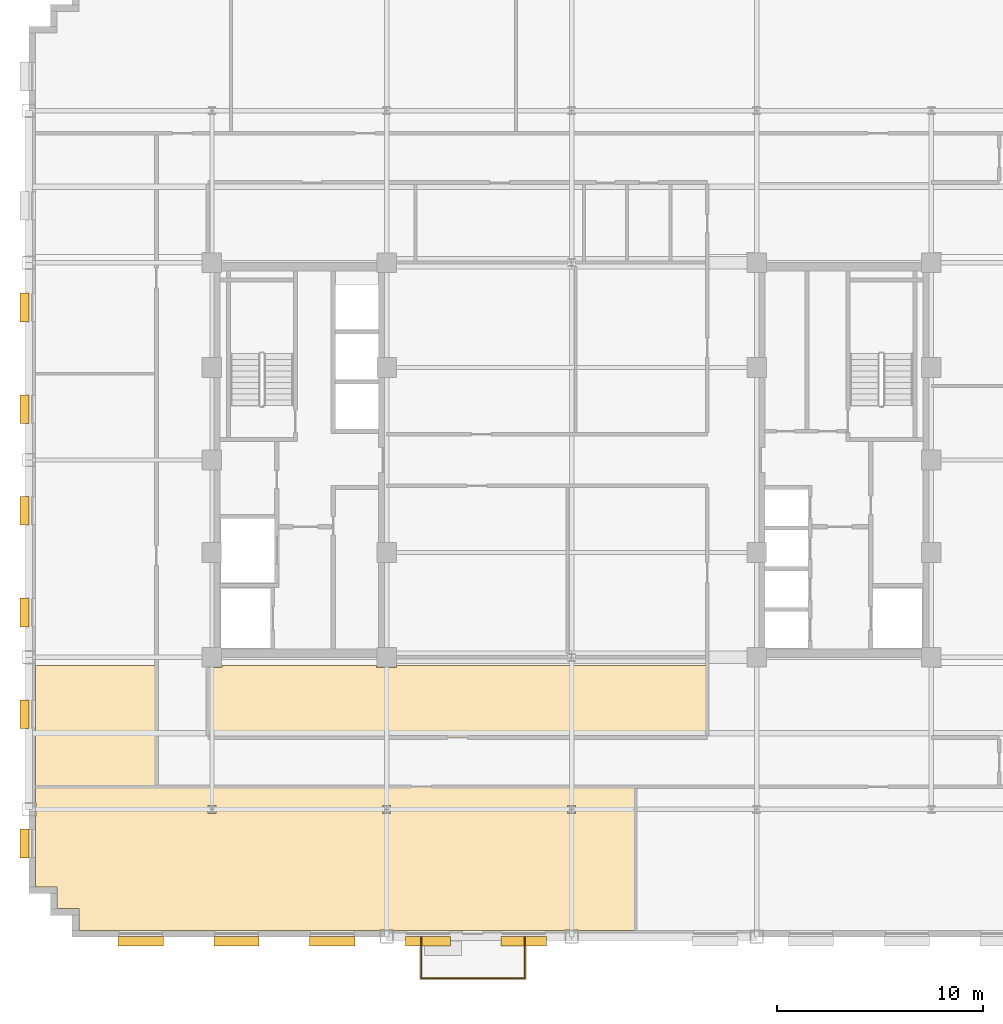
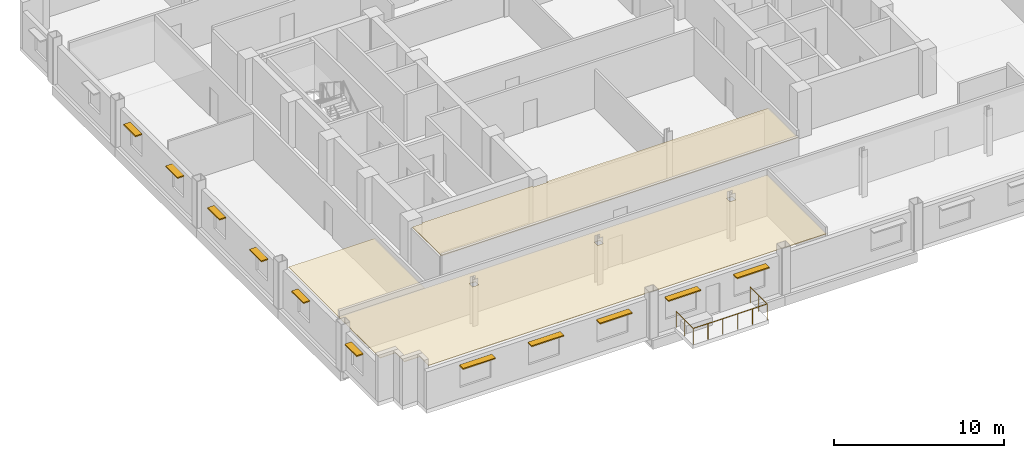
# One storey, part 11 of 14: 11 shading devices, 3 coverings, 1 railing.
"""IFC4 building model written with IfcOpenShell, lengths in metres."""

from ifc_helpers import new_model, si_unit, direction, frame, origin, origin_2d, place, context, subcontext, project, spatial, polyline, rectangle, circle, outline, extrude, source, transform, mapped, material, layer, layer_set, type_object, type_shapes, element, save


model = new_model("IFC4")

# Units and contexts
model_context = context("Model", 3, precision=1e-05, world=origin(), true_north=direction((0.0, 1.0)))
body_context = subcontext(model_context, "Body", "Model", "MODEL_VIEW")
ifc_project = project(units=[si_unit("LENGTHUNIT", "METRE"), si_unit("AREAUNIT", "SQUARE_METRE"), si_unit("VOLUMEUNIT", "CUBIC_METRE"), si_unit("PLANEANGLEUNIT", "RADIAN"), si_unit("MASSUNIT", "GRAM", prefix="KILO")], contexts=[model_context])

# Site, building, storey
site_placement = place(None, origin())
site = spatial("IfcSite", under=ifc_project, at=site_placement, CompositionType="ELEMENT")
building_placement = place(site_placement, origin())
building = spatial("IfcBuilding", under=site, at=building_placement, Name="Nuvemarco Arch Tower", CompositionType="ELEMENT")
storey_placement = place(building_placement, frame((0.0, 0.0, 138.449951171875)))
storey = spatial("IfcBuildingStorey", under=building, at=storey_placement, Name="L36", CompositionType="ELEMENT", Elevation=138.449951171875)

# Coverings
ifc_material_1 = material(Name="Mineral acoustic ceiling tile")
ifc_layer = layer(ifc_material_1, 0.0400390625, Name="COV-ACOUSTIC-CLG")
ifc_layer_set = layer_set([ifc_layer], Name="Mineral acoustic ceiling tile")
covering_type = type_object("IfcCoveringType", Name="COV-ACOUSTIC-CLG", PredefinedType="CEILING", material=ifc_layer_set)
covering_1_placement = place(storey_placement, frame((0.0, 0.0, 2.85009765625)))
element("IfcCovering", 1, at=covering_1_placement, inside=storey, type_object=covering_type, Name="L36 suspended acoustic ceiling 1", PredefinedType="CEILING", context=body_context, shape_type="SweptSolid", body=[
    extrude(outline(polyline([(-26.080078125, -20.780029296875), (-26.080078125, -17.340087890625), (-26.06005859375, -17.340087890625), (-26.06005859375, -16.659912109375), (-26.080078125, -16.659912109375), (-26.080078125, -15.89990234375), (-20.199951171875, -15.89990234375), (-17.699951171875, -15.89990234375), (3.10009765625, -15.89990234375), (3.10009765625, -22.8798828125), (0.340087890625, -22.8798828125), (0.340087890625, -22.860107421875), (-0.340087890625, -22.860107421875), (-0.340087890625, -22.8798828125), (-8.659912109375, -22.8798828125), (-8.659912109375, -22.860107421875), (-9.340087890625, -22.860107421875), (-9.340087890625, -22.8798828125), (-23.97998046875, -22.8798828125), (-23.97998046875, -21.830078125), (-25.030029296875, -21.830078125), (-25.030029296875, -20.780029296875), (-26.080078125, -20.780029296875)]), holes=[polyline([(-17.304931640625, -16.804931640625), (-17.695068359375, -16.804931640625), (-17.695068359375, -17.195068359375), (-17.304931640625, -17.195068359375), (-17.304931640625, -16.804931640625)]), polyline([(-8.804931640625, -17.195068359375), (-8.804931640625, -16.804931640625), (-9.195068359375, -16.804931640625), (-9.195068359375, -17.195068359375), (-8.804931640625, -17.195068359375)]), polyline([(0.195068359375, -17.195068359375), (0.195068359375, -16.804931640625), (-0.195068359375, -16.804931640625), (-0.195068359375, -17.195068359375), (0.195068359375, -17.195068359375)])]), origin(), (0.0, 0.0, 1.0), 0.0400390625),
])
covering_2_placement = place(storey_placement, frame((0.0, 0.0, 2.85009765625)))
element("IfcCovering", 2, at=covering_2_placement, inside=storey, type_object=covering_type, Name="L36 suspended acoustic ceiling 5", PredefinedType="CEILING", context=body_context, shape_type="SweptSolid", body=[
    extrude(outline(polyline([(-20.199951171875, -13.5), (-20.199951171875, -15.89990234375), (-26.080078125, -15.89990234375), (-26.080078125, -10.0), (-20.199951171875, -10.0), (-20.199951171875, -13.5)])), origin(), (0.0, 0.0, 1.0), 0.0400390625),
])
covering_3_placement = place(storey_placement, frame((0.0, 0.0, 2.85009765625)))
element("IfcCovering", 3, at=covering_3_placement, inside=storey, type_object=covering_type, Name="L36 suspended acoustic ceiling 8", PredefinedType="CEILING", context=body_context, shape_type="SweptSolid", body=[
    extrude(outline(polyline([(-9.489990234375, -10.090087890625), (-8.510009765625, -10.090087890625), (-8.510009765625, -10.0), (6.60009765625, -10.0), (6.60009765625, -13.5), (-17.699951171875, -13.5), (-17.699951171875, -10.090087890625), (-17.010009765625, -10.090087890625), (-17.010009765625, -10.0), (-9.489990234375, -10.0), (-9.489990234375, -10.090087890625)])), origin(), (0.0, 0.0, 1.0), 0.0400390625),
])

# Railing
ifc_material_2 = material(Name="Dark anodised balustrade steel S355", Category="steel")
railing_type = type_object("IfcRailingType", Name="RL-TERR-GUARD", PredefinedType="BALUSTRADE", material=ifc_material_2)
railing_placement = place(storey_placement, frame((-7.320068359375, -23.199951171875, 0.0)))
element("IfcRailing", 4, at=railing_placement, inside=storey, type_object=railing_type, Name="L36 tree balcony perimeter balustrade guard", PredefinedType="BALUSTRADE", context=body_context, shape_type="SweptSolid", body=[
    extrude(circle(Radius=0.02392578125, at=origin_2d()), frame((0.0, 0.0, 1.1259765625), z_axis=(0.0, -1.0, 0.0), x_axis=(1.0, 0.0, 0.0)), (0.0, 0.0, 1.0), 2.02001953125),
    extrude(circle(Radius=0.02392578125, at=origin_2d()), frame((0.0, -2.02001953125, 1.1259765625), z_axis=(1.0, 0.0, 0.0), x_axis=(0.0, 1.0, 0.0)), (0.0, 0.0, 1.0), 5.0400390625),
    extrude(circle(Radius=0.02392578125, at=origin_2d()), frame((5.0400390625, -2.02001953125, 1.1259765625), z_axis=(0.0, 1.0, 0.0), x_axis=(-1.0, 0.0, 0.0)), (0.0, 0.0, 1.0), 2.02001953125),
    extrude(circle(Radius=0.02099609375, at=origin_2d()), origin(), (0.0, 0.0, 1.0), 1.101806640625),
    extrude(circle(Radius=0.02099609375, at=origin_2d()), frame((0.0, -1.010009765625, 0.0)), (0.0, 0.0, 1.0), 1.101806640625),
    extrude(circle(Radius=0.02099609375, at=origin_2d()), frame((0.0, -2.02001953125, 0.0)), (0.0, 0.0, 1.0), 1.101806640625),
    extrude(circle(Radius=0.02099609375, at=origin_2d()), frame((1.008056640625, -2.02001953125, 0.0)), (0.0, 0.0, 1.0), 1.101806640625),
    extrude(circle(Radius=0.02099609375, at=origin_2d()), frame((2.01611328125, -2.02001953125, 0.0)), (0.0, 0.0, 1.0), 1.101806640625),
    extrude(circle(Radius=0.02099609375, at=origin_2d()), frame((3.02392578125, -2.02001953125, 0.0)), (0.0, 0.0, 1.0), 1.101806640625),
    extrude(circle(Radius=0.02099609375, at=origin_2d()), frame((4.031982421875, -2.02001953125, 0.0)), (0.0, 0.0, 1.0), 1.101806640625),
    extrude(circle(Radius=0.02099609375, at=origin_2d()), frame((5.0400390625, -2.02001953125, 0.0)), (0.0, 0.0, 1.0), 1.101806640625),
    extrude(circle(Radius=0.02099609375, at=origin_2d()), frame((5.0400390625, -1.010009765625, 0.0)), (0.0, 0.0, 1.0), 1.101806640625),
    extrude(circle(Radius=0.02099609375, at=origin_2d()), frame((5.0400390625, 0.0, 0.0)), (0.0, 0.0, 1.0), 1.101806640625),
])

# Shading devices
ifc_material_3 = material(Name="Anodised aluminium 6063-T6", Category="aluminium")
shading_device_type_1 = type_object("IfcShadingDeviceType", Name="SHD-BRISE-SOLEIL", PredefinedType="USERDEFINED", material=ifc_material_3)
shared_shape_1 = source(origin(), body_context, "Body", "SweptSolid", [
    extrude(rectangle(XDim=2.199951171875, YDim=0.449951171875, at=origin_2d()), origin(), (0.0, 0.0, 1.0), 0.080078125),
])
type_shapes(shading_device_type_1, [shared_shape_1])
for number, where, z_axis, x_axis, name in (
    (5, (-20.969970703125, -23.4150390625, 2.364990234375), (0.0, 0.0, 1.0), (1.0, 0.0, 0.0), "L36 horizontal brise-soleil sunshade"),
    (6, (-16.31005859375, -23.4150390625, 2.364990234375), (0.0, 0.0, 1.0), (1.0, 0.0, 0.0), "L36 horizontal brise-soleil sunshade"),
    (7, (-11.64990234375, -23.4150390625, 2.364990234375), (0.0, 0.0, 1.0), (1.0, 0.0, 0.0), "L36 horizontal brise-soleil sunshade"),
    (8, (-6.989990234375, -23.4150390625, 2.364990234375), (0.0, 0.0, 1.0), (1.0, 0.0, 0.0), "L36 horizontal brise-soleil sunshade"),
    (9, (-2.330078125, -23.4150390625, 2.364990234375), (0.0, 0.0, 1.0), (1.0, 0.0, 0.0), "L36 horizontal brise-soleil sunshade"),
):
    element("IfcShadingDevice", number, at=place(storey_placement, frame(where, z_axis=z_axis, x_axis=x_axis)), inside=storey, type_object=shading_device_type_1, Name=name, ObjectType="SUNSHADE", PredefinedType="USERDEFINED", context=body_context, shape_type="MappedRepresentation", body=[
        mapped(shared_shape_1, transform((0.0, 0.0, 0.0), scale=1.0)),
    ])
shading_device_type_2 = type_object("IfcShadingDeviceType", Name="SHD-BRISE-NARROW", PredefinedType="USERDEFINED", material=ifc_material_3)
shared_shape_2 = source(origin(), body_context, "Body", "SweptSolid", [
    extrude(rectangle(XDim=1.39990234375, YDim=0.449951171875, at=origin_2d()), origin(), (0.0, 0.0, 1.0), 0.080078125),
])
type_shapes(shading_device_type_2, [shared_shape_2])
for number, where, z_axis, x_axis, name in (
    (10, (-26.614990234375, -18.660888671875, 2.364990234375), (0.0, 0.0, 1.0), (0.0, 1.0, 0.0), "L36 horizontal brise-soleil sunshade"),
    (11, (-26.614990234375, -12.364990234375, 2.364990234375), (0.0, 0.0, 1.0), (0.0, 1.0, 0.0), "L36 horizontal brise-soleil sunshade"),
    (12, (-26.614990234375, -7.4189453125, 2.364990234375), (0.0, 0.0, 1.0), (0.0, 1.0, 0.0), "L36 horizontal brise-soleil sunshade"),
    (13, (-26.614990234375, -2.472900390625, 2.364990234375), (0.0, 0.0, 1.0), (0.0, 1.0, 0.0), "L36 horizontal brise-soleil sunshade"),
    (14, (-26.614990234375, 2.472900390625, 2.364990234375), (0.0, 0.0, 1.0), (0.0, 1.0, 0.0), "L36 horizontal brise-soleil sunshade"),
    (15, (-26.614990234375, 7.4189453125, 2.364990234375), (0.0, 0.0, 1.0), (0.0, 1.0, 0.0), "L36 horizontal brise-soleil sunshade"),
):
    element("IfcShadingDevice", number, at=place(storey_placement, frame(where, z_axis=z_axis, x_axis=x_axis)), inside=storey, type_object=shading_device_type_2, Name=name, ObjectType="SUNSHADE", PredefinedType="USERDEFINED", context=body_context, shape_type="MappedRepresentation", body=[
        mapped(shared_shape_2, transform((0.0, 0.0, 0.0), scale=1.0)),
    ])

save(model, "model.ifc")
